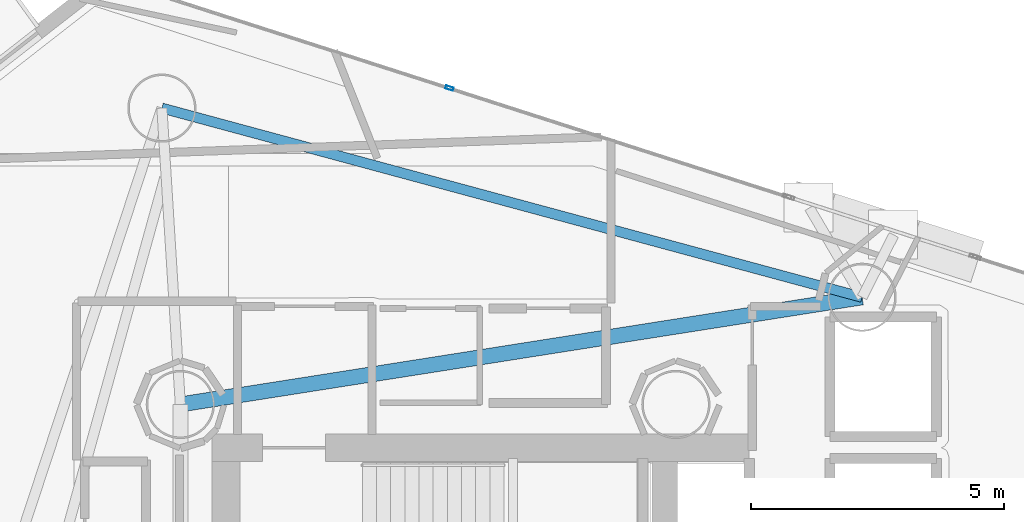
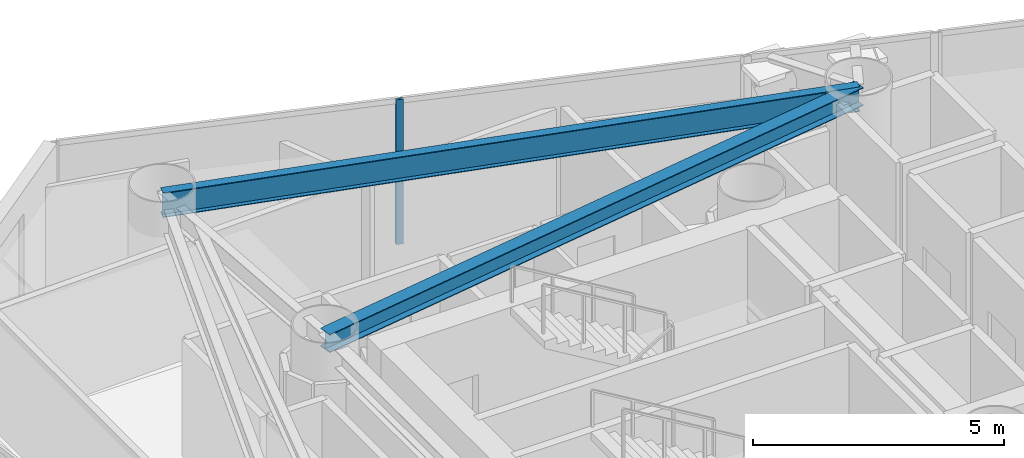
# One storey, part 12 of 22: 2 beams, 1 member, 1 element without a shape of its own.
"""IFC4 building model written with IfcOpenShell, lengths in metres."""

import ifcopenshell
import ifcopenshell.guid

model = None  # the IFC model being written
_history = None  # IfcOwnerHistory: only IFC2X3 demands one
_inside = {}  # id of a spatial element -> (the spatial element, [elements in it])
_under = {}  # id of a project, library or spatial element -> (it, [spatial elements below it])
_declared = {}  # id of a project -> (the project, [libraries it declares])
_typed = {}  # id of a type object -> (the type object, [elements of that type])
_made_of = {}  # id of a material, layer set ... -> (it, [elements and type objects made of it])


def new_model(schema):
    """Start an empty IFC model of exactly this schema.

    Asked for "IFC4X3", IfcOpenShell would pick the latest addendum, in which some entities
    have other attributes; the version numbers below select the first issue.
    IFC2X3 requires an IfcOwnerHistory on every rooted entity: one is made here for all.
    """
    global model, _history
    if schema == "IFC4X3":
        model = ifcopenshell.file(schema_version=(4, 3, 0, 0))
    else:
        model = ifcopenshell.file(schema=schema)
    _inside.clear()
    _under.clear()
    _declared.clear()
    _typed.clear()
    _made_of.clear()
    _history = None
    if model.schema == "IFC2X3":
        org = make("IfcOrganization", Name="unknown")
        user = make(
            "IfcPersonAndOrganization",
            ThePerson=make("IfcPerson", FamilyName="unknown"),
            TheOrganization=org,
        )
        app = make(
            "IfcApplication",
            ApplicationDeveloper=org,
            Version="unknown",
            ApplicationFullName="unknown",
            ApplicationIdentifier="unknown",
        )
        _history = make(
            "IfcOwnerHistory",
            OwningUser=user,
            OwningApplication=app,
            ChangeAction="ADDED",
            CreationDate=0,
        )
    return model


def make(cls, **values):
    """One entity of the class cls with the attributes given. An attribute that is None is left unset."""
    return model.create_entity(
        cls, **{name: value for name, value in values.items() if value is not None}
    )


def rooted(cls, **values):
    """An entity with a GlobalId (a new one), such as an element, a storey or a relation."""
    return make(cls, GlobalId=ifcopenshell.guid.new(), OwnerHistory=_history, **values)


def si_unit(unit_type, name, prefix=None):
    """IfcSIUnit, for example si_unit("LENGTHUNIT", "METRE", prefix="MILLI")."""
    return make("IfcSIUnit", UnitType=unit_type, Prefix=prefix, Name=name)


def assignment(units):
    """IfcUnitAssignment: the units of a project."""
    return None if units is None else make("IfcUnitAssignment", Units=units)


def point(xyz):
    """IfcCartesianPoint."""
    return None if xyz is None else make("IfcCartesianPoint", Coordinates=xyz)


def direction(xyz):
    """IfcDirection."""
    return None if xyz is None else make("IfcDirection", DirectionRatios=xyz)


def frame(location, z_axis=None, x_axis=None):
    """IfcAxis2Placement3D, a coordinate frame: its origin and axes. An axis left out is left unset."""
    return make(
        "IfcAxis2Placement3D",
        Location=point(location),
        Axis=direction(z_axis),
        RefDirection=direction(x_axis),
    )


def frame_2d(location, x_axis=None):
    """IfcAxis2Placement2D, a coordinate frame in the plane: its origin and x axis."""
    return make(
        "IfcAxis2Placement2D", Location=point(location), RefDirection=direction(x_axis)
    )


def origin():
    """The frame at (0, 0, 0) with its axes left unset."""
    return frame((0.0, 0.0, 0.0))


def origin_2d():
    """The frame at (0, 0) in the plane with its x axis left unset."""
    return frame_2d((0.0, 0.0))


def place(relative_to, where):
    """IfcLocalPlacement: puts the frame where relative to a parent placement (None: the world)."""
    return make(
        "IfcLocalPlacement", PlacementRelTo=relative_to, RelativePlacement=where
    )


def context(
    kind, dimensions, precision=None, world=None, true_north=None, identifier=None
):
    """IfcGeometricRepresentationContext, for example the 3D "Model" context."""
    return make(
        "IfcGeometricRepresentationContext",
        ContextIdentifier=identifier,
        ContextType=kind,
        CoordinateSpaceDimension=dimensions,
        Precision=precision,
        WorldCoordinateSystem=world,
        TrueNorth=true_north,
    )


def subcontext(parent, identifier, kind, view, scale=None):
    """IfcGeometricRepresentationSubContext, for example "Body" below "Model"."""
    return make(
        "IfcGeometricRepresentationSubContext",
        ContextIdentifier=identifier,
        ContextType=kind,
        ParentContext=parent,
        TargetScale=scale,
        TargetView=view,
    )


def project(units=None, contexts=None):
    """IfcProject with its units and contexts."""
    return rooted(
        "IfcProject",
        Name="project",
        RepresentationContexts=contexts,
        UnitsInContext=assignment(units),
    )


def spatial(cls, under=None, at=None, **own):
    """A site, building, storey or space (cls), placed at a placement, below another one or the project."""
    s = rooted(cls, ObjectPlacement=at, **own)
    if under is not None:
        _under.setdefault(under.id(), (under, []))[1].append(s)
    return s


def profile(cls, at=None, kind="AREA", **sizes):
    """A parametric profile (cls). Its sizes go by their IFC names, for example OverallWidth=200.0."""
    return make(cls, ProfileType=kind, Position=at, **sizes)


def hollow_rectangle(**sizes):
    """IfcRectangleHollowProfileDef."""
    return profile("IfcRectangleHollowProfileDef", **sizes)


def i_section(**sizes):
    """IfcIShapeProfileDef."""
    return profile("IfcIShapeProfileDef", **sizes)


def extrude(swept, where, along, depth):
    """IfcExtrudedAreaSolid: the profile swept, set in the frame where, extruded along a direction by depth."""
    return make(
        "IfcExtrudedAreaSolid",
        SweptArea=swept,
        Position=where,
        ExtrudedDirection=direction(along),
        Depth=depth,
    )


def shape(context_of_items, identifier, shape_type, items):
    """IfcShapeRepresentation: the items that make up one representation, for example the "Body"."""
    return make(
        "IfcShapeRepresentation",
        ContextOfItems=context_of_items,
        RepresentationIdentifier=identifier,
        RepresentationType=shape_type,
        Items=items,
    )


def material(Name=None, Category=None):
    """IfcMaterial."""
    return make("IfcMaterial", Name=Name, Category=Category)


def layer(
    of_material, thickness, ventilated=None, Name=None, Category=None, Priority=None
):
    """IfcMaterialLayer: one layer of a wall or slab, of a material (None: an air gap)."""
    return make(
        "IfcMaterialLayer",
        Material=of_material,
        LayerThickness=thickness,
        IsVentilated=ventilated,
        Name=Name,
        Category=Category,
        Priority=Priority,
    )


def layer_set(layers, Name=None):
    """IfcMaterialLayerSet."""
    return make("IfcMaterialLayerSet", MaterialLayers=layers, LayerSetName=Name)


def material_profile(
    of_material, cross_section, Name=None, Category=None, Priority=None
):
    """IfcMaterialProfile: a cross section and its material."""
    return make(
        "IfcMaterialProfile",
        Name=Name,
        Material=of_material,
        Profile=cross_section,
        Priority=Priority,
        Category=Category,
    )


def profile_set(profiles, Name=None, composite=None):
    """IfcMaterialProfileSet."""
    return make(
        "IfcMaterialProfileSet",
        Name=Name,
        MaterialProfiles=profiles,
        CompositeProfile=composite,
    )


def made_of(thing, what):
    """Note that an element or type object is made of a material, layer set ...; save() writes the relation."""
    if what is not None:
        _made_of.setdefault(what.id(), (what, []))[1].append(thing)
    return thing


def type_object(cls, material=None, **own):
    """A type object (cls), such as IfcWallType, which elements share."""
    return made_of(rooted(cls, **own), material)


def element(
    cls,
    number,
    at=None,
    inside=None,
    cuts=None,
    type_object=None,
    material=None,
    context=None,
    identifier="Body",
    shape_type=None,
    held_by="IfcProductDefinitionShape",
    body=None,
    shapes=None,
    **own,
):
    """One element of the class cls, such as IfcWall. Its Tag is "e" and its number.

    at: its placement. inside: the storey or other place that contains it. cuts: it is an
    opening in that element (IfcRelVoidsElement). A single representation is given by context,
    identifier, shape_type and body (its items); several are given by shapes. held_by: the class
    of the entity that holds the representations. save() writes the other relations.
    """
    e = rooted(cls, Tag="e%d" % number, ObjectPlacement=at, **own)
    if body is not None:
        shapes = [shape(context, identifier, shape_type, body)]
    if shapes is not None:
        e.Representation = make(held_by, Representations=shapes)
    if inside is not None:
        _inside.setdefault(inside.id(), (inside, []))[1].append(e)
    if cuts is not None:
        rooted(
            "IfcRelVoidsElement", RelatingBuildingElement=cuts, RelatedOpeningElement=e
        )
    if type_object is not None:
        _typed.setdefault(type_object.id(), (type_object, []))[1].append(e)
    return made_of(e, material)


def aggregate(whole, parts):
    """IfcRelAggregates: a whole, such as a stair, and the parts it consists of."""
    return rooted("IfcRelAggregates", RelatingObject=whole, RelatedObjects=parts)


def save(model, path):
    """Write the relations noted so far, then the file.

    IfcRelAggregates (storeys below a building ...), IfcRelContainedInSpatialStructure (elements
    in a storey), IfcRelDefinesByType, IfcRelAssociatesMaterial and IfcRelDeclares: one each for
    every whole, place, type object, material and project.
    """
    for whole, parts in _under.values():
        aggregate(whole, parts)
    for where, things in _inside.values():
        rooted(
            "IfcRelContainedInSpatialStructure",
            RelatedElements=things,
            RelatingStructure=where,
        )
    for kind, things in _typed.values():
        rooted("IfcRelDefinesByType", RelatedObjects=things, RelatingType=kind)
    for what, things in _made_of.values():
        rooted("IfcRelAssociatesMaterial", RelatedObjects=things, RelatingMaterial=what)
    for by, libraries in _declared.values():
        rooted("IfcRelDeclares", RelatingContext=by, RelatedDefinitions=libraries)
    model.write(path)


model = new_model("IFC4")

# Units and contexts
model_context = context("Model", 3, precision=1e-05, world=origin(), true_north=direction((0.0, 1.0)))
body_context = subcontext(model_context, "Body", "Model", "MODEL_VIEW")
ifc_project = project(units=[si_unit("LENGTHUNIT", "METRE"), si_unit("AREAUNIT", "SQUARE_METRE"), si_unit("VOLUMEUNIT", "CUBIC_METRE"), si_unit("PLANEANGLEUNIT", "RADIAN"), si_unit("MASSUNIT", "GRAM", prefix="KILO")], contexts=[model_context])

# Site, building, storey
site_placement = place(None, origin())
site = spatial("IfcSite", under=ifc_project, at=site_placement, CompositionType="ELEMENT")
building_placement = place(site_placement, origin())
building = spatial("IfcBuilding", under=site, at=building_placement, Name="Qianvela Tower", CompositionType="ELEMENT")
storey_placement = place(building_placement, frame((0.0, 0.0, 173.5)))
storey = spatial("IfcBuildingStorey", under=building, at=storey_placement, Name="L44", CompositionType="ELEMENT", Elevation=173.5)

# Beams
ifc_material_1 = material(Name="Steel Q355B", Category="steel")
ifc_material_profile_1 = material_profile(ifc_material_1, i_section(OverallWidth=0.300048828125, OverallDepth=0.43994140625, WebThickness=0.010986328125, FlangeThickness=0.01806640625, at=origin_2d()), Name="HM440x300x11x18")
ifc_profile_set_1 = profile_set([ifc_material_profile_1], Name="Steel Q355B")
beam_type_1 = type_object("IfcBeamType", Name="BM-HM440-COLL", PredefinedType="BEAM", material=ifc_profile_set_1)
beam_1_placement = place(storey_placement, frame((28.60009765625, 33.550048828125, 3.298095703125), z_axis=(0.98787540104, 0.155248806823, 0.0), x_axis=(-0.155248806823, 0.98787540104, 0.0)))
element("IfcBeam", 1, at=beam_1_placement, inside=storey, type_object=beam_type_1, Name="L44 Perimeter Ring Tie Girder 1B", PredefinedType="BEAM", context=body_context, shape_type="SweptSolid", body=[
    extrude(i_section(OverallWidth=0.300048828125, OverallDepth=0.43994140625, WebThickness=0.010986328125, FlangeThickness=0.01806640625, at=origin_2d()), origin(), (0.0, 0.0, 1.0), 13.6484375),
])
ifc_material_2 = material(Name="Steel Q355B", Category="steel")
ifc_material_profile_2 = material_profile(ifc_material_2, i_section(OverallWidth=0.199951171875, OverallDepth=0.60009765625, WebThickness=0.010986328125, FlangeThickness=0.01708984375, at=origin_2d()), Name="HN600x200x11x17")
ifc_profile_set_2 = profile_set([ifc_material_profile_2], Name="Steel Q355B")
beam_type_2 = type_object("IfcBeamType", Name="BM-HN600-GIRD", PredefinedType="BEAM", material=ifc_profile_set_2)
beam_2_placement = place(storey_placement, frame((42.0830078125, 35.6689453125, 3.218017578125), z_axis=(-0.965376252239, 0.260861441407, 0.0), x_axis=(-0.260861441407, -0.965376252239, 0.0)))
element("IfcBeam", 2, at=beam_2_placement, inside=storey, type_object=beam_type_2, Name="L44 Perimeter Ring Spandrel Girder 2", PredefinedType="BEAM", context=body_context, shape_type="SweptSolid", body=[
    extrude(i_section(OverallWidth=0.199951171875, OverallDepth=0.60009765625, WebThickness=0.010986328125, FlangeThickness=0.01708984375, at=origin_2d()), origin(), (0.0, 0.0, 1.0), 14.344482421875),
])

# Curtain wall, member
ifc_material_3 = material(Name="Anodised Architectural Aluminium and Low-E Glass", Category="aluminium")
ifc_layer = layer(ifc_material_3, 0.169921875)
ifc_layer_set = layer_set([ifc_layer], Name="Anodised Architectural Aluminium and Low-E Glass")
curtain_wall_type = type_object("IfcCurtainWallType", Name="CW-COLIV-Z34", PredefinedType="USERDEFINED", material=ifc_layer_set)
curtain_wall_placement = place(storey_placement, origin())
curtain_wall = element("IfcCurtainWall", 3, at=curtain_wall_placement, inside=storey, type_object=curtain_wall_type, Name="L44 CW-COLIV-Z34 Curtain Wall 02C", ObjectType="CURTAIN_WALL_SYSTEM", PredefinedType="USERDEFINED")
ifc_material_4 = material(Name="Anodised Architectural Aluminium 6063-T6", Category="aluminium")
ifc_material_profile_3 = material_profile(ifc_material_4, hollow_rectangle(XDim=0.06494140625, YDim=0.159912109375, WallThickness=0.0048828125, at=origin_2d()), Name="ALU-MULL-65x160")
ifc_profile_set_3 = profile_set([ifc_material_profile_3], Name="Anodised Architectural Aluminium 6063-T6")
member_type = type_object("IfcMemberType", Name="CW-COLIV-Z34-MULL", PredefinedType="MULLION", material=ifc_profile_set_3)
member_placement = place(storey_placement, frame((33.92041015625, 39.805908203125, 0.0), z_axis=(0.0, 0.0, 1.0), x_axis=(-0.305578960999, -0.952166738862, 0.0)))
member = element("IfcMember", 4, at=member_placement, type_object=member_type, Name="CW-4 mullion 2", PredefinedType="MULLION", context=body_context, shape_type="SweptSolid", body=[
    extrude(hollow_rectangle(XDim=0.06494140625, YDim=0.159912109375, WallThickness=0.0048828125, at=origin_2d()), origin(), (0.0, 0.0, 1.0), 3.52001953125),
])
aggregate(curtain_wall, [member])

save(model, "model.ifc")
